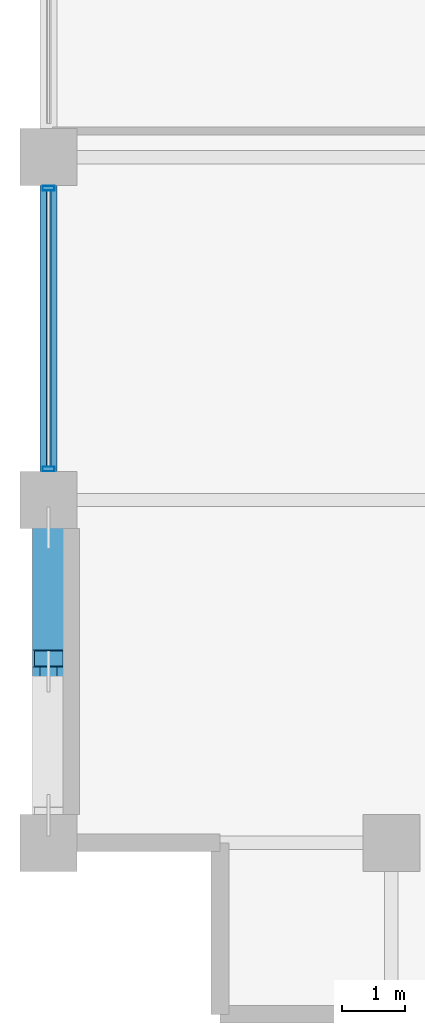
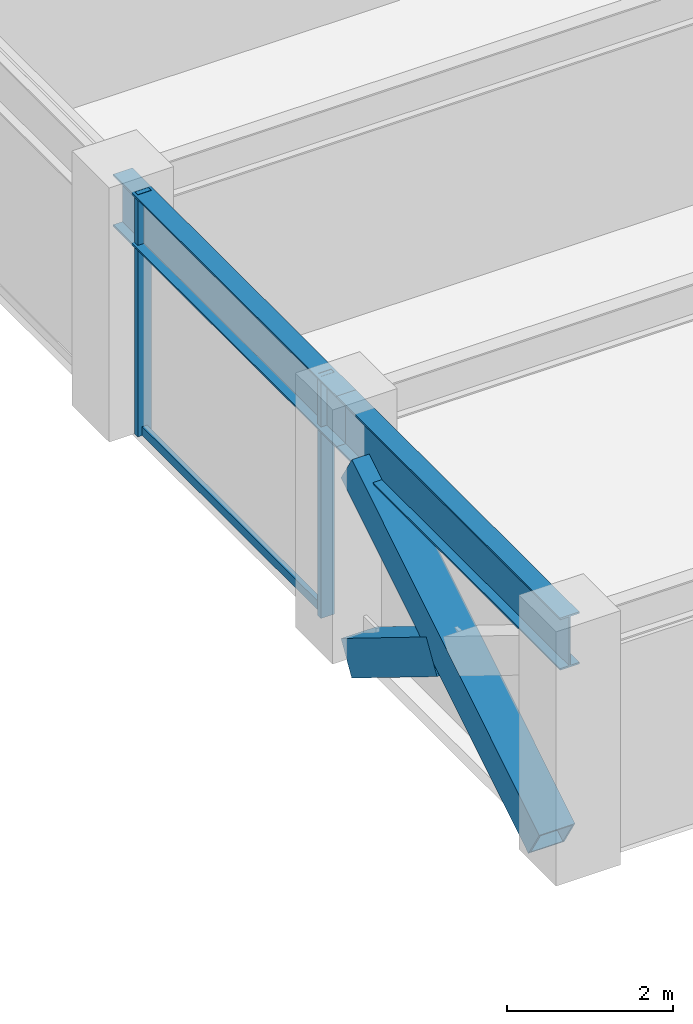
# One storey, part 4 of 32: 5 members, 2 beams, 1 element without a shape of its own.
"""IFC4 building model written with IfcOpenShell, lengths in metres."""

from ifc_helpers import new_model, si_unit, direction, frame, origin, origin_2d, place, context, subcontext, project, spatial, hollow_rectangle, i_section, extrude, material, layer, layer_set, material_profile, profile_set, type_object, element, aggregate, save


model = new_model("IFC4")

# Units and contexts
model_context = context("Model", 3, precision=1e-05, world=origin(), true_north=direction((0.0, 1.0)))
body_context = subcontext(model_context, "Body", "Model", "MODEL_VIEW")
ifc_project = project(units=[si_unit("LENGTHUNIT", "METRE"), si_unit("AREAUNIT", "SQUARE_METRE"), si_unit("VOLUMEUNIT", "CUBIC_METRE"), si_unit("PLANEANGLEUNIT", "RADIAN"), si_unit("MASSUNIT", "GRAM", prefix="KILO")], contexts=[model_context])

# Site, building, storey
site_placement = place(None, origin())
site = spatial("IfcSite", under=ifc_project, at=site_placement, CompositionType="ELEMENT")
building_placement = place(site_placement, origin())
building = spatial("IfcBuilding", under=site, at=building_placement, Name="Surkhivell Harbour Commons", CompositionType="ELEMENT")
storey_placement = place(building_placement, frame((0.0, 0.0, 201.0)))
storey = spatial("IfcBuildingStorey", under=building, at=storey_placement, Name="L52", CompositionType="ELEMENT", Elevation=201.0)

# Beams
ifc_material_1 = material(Name="Steel S355", Category="steel")
ifc_material_profile_1 = material_profile(ifc_material_1, i_section(OverallWidth=0.26806640625, OverallDepth=0.77001953125, WebThickness=0.015625, FlangeThickness=0.025390625, at=origin_2d()), Name="UB762x267x197")
ifc_profile_set_1 = profile_set([ifc_material_profile_1], Name="Steel S355")
beam_type = type_object("IfcBeamType", Name="BM-SPN-762", PredefinedType="SPANDREL", material=ifc_profile_set_1)
beam_1_placement = place(storey_placement, frame((-27.0, -16.199951171875, 3.18505859375), z_axis=(0.0, 1.0, 0.0), x_axis=(-1.0, 0.0, 0.0)))
element("IfcBeam", 1, at=beam_1_placement, inside=storey, type_object=beam_type, Name="L52 Tube Spandrel (-27.0,-16.2)", PredefinedType="SPANDREL", context=body_context, shape_type="SweptSolid", body=[
    extrude(i_section(OverallWidth=0.26806640625, OverallDepth=0.77001953125, WebThickness=0.015625, FlangeThickness=0.025390625, at=origin_2d()), origin(), (0.0, 0.0, 1.0), 5.39990234375),
])
beam_2_placement = place(storey_placement, frame((-27.0, -10.800048828125, 3.18505859375), z_axis=(0.0, 1.0, 0.0), x_axis=(-1.0, 0.0, 0.0)))
element("IfcBeam", 2, at=beam_2_placement, inside=storey, type_object=beam_type, Name="L52 Tube Spandrel (-27.0,-10.8)", PredefinedType="SPANDREL", context=body_context, shape_type="SweptSolid", body=[
    extrude(i_section(OverallWidth=0.26806640625, OverallDepth=0.77001953125, WebThickness=0.015625, FlangeThickness=0.025390625, at=origin_2d()), origin(), (0.0, 0.0, 1.0), 5.400146484375),
])

# Curtain wall, members
ifc_material_2 = material(Name="Anodised pale-metal aluminium and insulated glazing", Category="aluminium")
ifc_layer = layer(ifc_material_2, 0.18994140625)
ifc_layer_set = layer_set([ifc_layer], Name="Anodised pale-metal aluminium and insulated glazing")
curtain_wall_type = type_object("IfcCurtainWallType", Name="CW-SYS-Z3", PredefinedType="NOTDEFINED", material=ifc_layer_set)
curtain_wall_placement = place(storey_placement, origin())
curtain_wall = element("IfcCurtainWall", 3, at=curtain_wall_placement, inside=storey, type_object=curtain_wall_type, Name="L52 Curtain Wall CW-L52-E12S1", PredefinedType="NOTDEFINED")
ifc_material_3 = material(Name="Anodised pale-metal aluminium alloy 6063-T6", Category="aluminium")
ifc_material_profile_2 = material_profile(ifc_material_3, hollow_rectangle(XDim=0.074951171875, YDim=0.18994140625, WallThickness=0.00390625, at=origin_2d()), Name="ALU-MULL-75x190")
ifc_profile_set_2 = profile_set([ifc_material_profile_2], Name="Anodised pale-metal aluminium alloy 6063-T6")
member_type_1 = type_object("IfcMemberType", Name="CWM-190", PredefinedType="MULLION", material=ifc_profile_set_2)
member_1_placement = place(storey_placement, frame((-27.0, -5.889404296875, 0.0), z_axis=(0.0, 0.0, 1.0), x_axis=(0.0, -1.0, 0.0)))
member_1 = element("IfcMember", 4, at=member_1_placement, type_object=member_type_1, Name="CW-Z3 mullion 6", PredefinedType="MULLION", context=body_context, shape_type="SweptSolid", body=[
    extrude(hollow_rectangle(XDim=0.074951171875, YDim=0.18994140625, WallThickness=0.00390625, at=origin_2d()), origin(), (0.0, 0.0, 1.0), 3.570068359375),
])
member_2_placement = place(storey_placement, frame((-27.0, -10.310546875, 0.0), z_axis=(0.0, 0.0, 1.0), x_axis=(0.0, -1.0, 0.0)))
member_2 = element("IfcMember", 5, at=member_2_placement, type_object=member_type_1, Name="CW-Z3 mullion 7", PredefinedType="MULLION", context=body_context, shape_type="SweptSolid", body=[
    extrude(hollow_rectangle(XDim=0.074951171875, YDim=0.18994140625, WallThickness=0.00390625, at=origin_2d()), origin(), (0.0, 0.0, 1.0), 3.570068359375),
])
ifc_material_4 = material(Name="Champagne anodised aluminium alloy 6063-T6", Category="aluminium")
ifc_material_profile_3 = material_profile(ifc_material_4, hollow_rectangle(XDim=0.070068359375, YDim=0.1298828125, WallThickness=0.00341796875, at=origin_2d()), Name="ALU-TRAN-70x130")
ifc_profile_set_3 = profile_set([ifc_material_profile_3], Name="Champagne anodised aluminium alloy 6063-T6")
member_type_2 = type_object("IfcMemberType", Name="CWT-130", PredefinedType="USERDEFINED", material=ifc_profile_set_3)
member_3_placement = place(storey_placement, frame((-27.0, -5.927001953125, 0.06494140625), z_axis=(0.0, -1.0, 0.0), x_axis=(1.0, 0.0, 0.0)))
member_3 = element("IfcMember", 6, at=member_3_placement, type_object=member_type_2, Name="CW-Z3 transom 6.1", ObjectType="TRANSOM", PredefinedType="USERDEFINED", context=body_context, shape_type="SweptSolid", body=[
    extrude(hollow_rectangle(XDim=0.070068359375, YDim=0.1298828125, WallThickness=0.00341796875, at=origin_2d()), origin(), (0.0, 0.0, 1.0), 4.345947265625),
])
aggregate(curtain_wall, [member_1, member_2, member_3])

# Members
ifc_material_5 = material(Name="Steel S460", Category="steel")
ifc_material_profile_4 = material_profile(ifc_material_5, hollow_rectangle(XDim=0.5, YDim=0.5, WallThickness=0.02490234375, at=origin_2d()), Name="SHS500x500x25")
ifc_profile_set_4 = profile_set([ifc_material_profile_4], Name="Steel S460")
member_type_3 = type_object("IfcMemberType", Name="MEM-BRC-SHS500", PredefinedType="BRACE", material=ifc_profile_set_4)
member_4_placement = place(storey_placement, frame((-27.0, -15.764892578125, 0.008056640625), z_axis=(0.0, 0.850958380769, 0.525233123669), x_axis=(-1.0, 0.0, 0.0)))
element("IfcMember", 7, at=member_4_placement, inside=storey, type_object=member_type_3, Name="L52 Perimeter Mega-Brace MB- 10", PredefinedType="BRACE", context=body_context, shape_type="SweptSolid", body=[
    extrude(hollow_rectangle(XDim=0.5, YDim=0.5, WallThickness=0.02490234375, at=origin_2d()), origin(), (0.0, 0.0, 1.0), 5.3232421875),
])
member_5_placement = place(storey_placement, frame((-27.0, -11.235107421875, 0.008056640625), z_axis=(0.0, -0.8510034189, 0.525160147974), x_axis=(1.0, 0.0, 0.0)))
element("IfcMember", 8, at=member_5_placement, inside=storey, type_object=member_type_3, Name="L52 Perimeter Mega-Brace MB- 11", PredefinedType="BRACE", context=body_context, shape_type="SweptSolid", body=[
    extrude(hollow_rectangle(XDim=0.5, YDim=0.5, WallThickness=0.02490234375, at=origin_2d()), origin(), (0.0, 0.0, 1.0), 2.421630859375),
])

save(model, "model.ifc")
